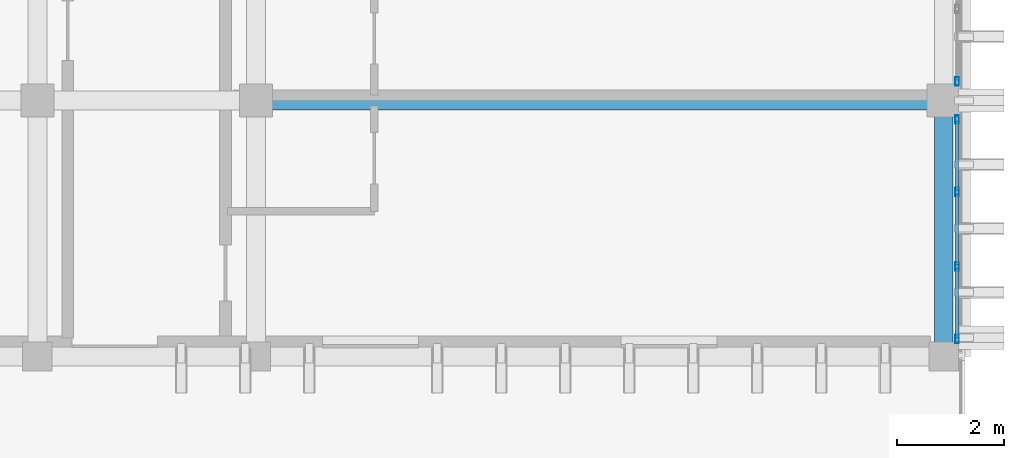
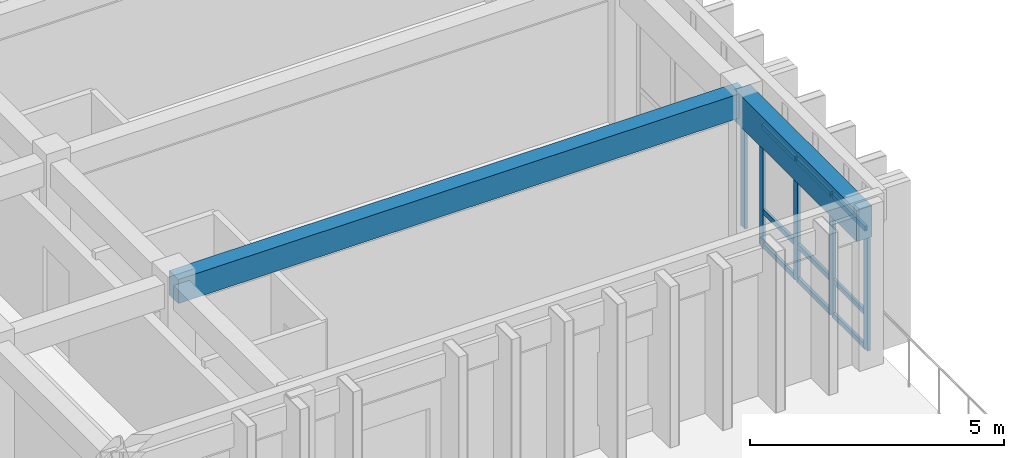
# One storey, part 6 of 50: 14 members, 2 beams, 2 elements without a shape of their own.
"""IFC4 building model written with IfcOpenShell, lengths in metres."""

import ifcopenshell
import ifcopenshell.guid

model = None  # the IFC model being written
_history = None  # IfcOwnerHistory: only IFC2X3 demands one
_inside = {}  # id of a spatial element -> (the spatial element, [elements in it])
_under = {}  # id of a project, library or spatial element -> (it, [spatial elements below it])
_declared = {}  # id of a project -> (the project, [libraries it declares])
_typed = {}  # id of a type object -> (the type object, [elements of that type])
_made_of = {}  # id of a material, layer set ... -> (it, [elements and type objects made of it])


def new_model(schema):
    """Start an empty IFC model of exactly this schema.

    Asked for "IFC4X3", IfcOpenShell would pick the latest addendum, in which some entities
    have other attributes; the version numbers below select the first issue.
    IFC2X3 requires an IfcOwnerHistory on every rooted entity: one is made here for all.
    """
    global model, _history
    if schema == "IFC4X3":
        model = ifcopenshell.file(schema_version=(4, 3, 0, 0))
    else:
        model = ifcopenshell.file(schema=schema)
    _inside.clear()
    _under.clear()
    _declared.clear()
    _typed.clear()
    _made_of.clear()
    _history = None
    if model.schema == "IFC2X3":
        org = make("IfcOrganization", Name="unknown")
        user = make(
            "IfcPersonAndOrganization",
            ThePerson=make("IfcPerson", FamilyName="unknown"),
            TheOrganization=org,
        )
        app = make(
            "IfcApplication",
            ApplicationDeveloper=org,
            Version="unknown",
            ApplicationFullName="unknown",
            ApplicationIdentifier="unknown",
        )
        _history = make(
            "IfcOwnerHistory",
            OwningUser=user,
            OwningApplication=app,
            ChangeAction="ADDED",
            CreationDate=0,
        )
    return model


def make(cls, **values):
    """One entity of the class cls with the attributes given. An attribute that is None is left unset."""
    return model.create_entity(
        cls, **{name: value for name, value in values.items() if value is not None}
    )


def rooted(cls, **values):
    """An entity with a GlobalId (a new one), such as an element, a storey or a relation."""
    return make(cls, GlobalId=ifcopenshell.guid.new(), OwnerHistory=_history, **values)


def si_unit(unit_type, name, prefix=None):
    """IfcSIUnit, for example si_unit("LENGTHUNIT", "METRE", prefix="MILLI")."""
    return make("IfcSIUnit", UnitType=unit_type, Prefix=prefix, Name=name)


def assignment(units):
    """IfcUnitAssignment: the units of a project."""
    return None if units is None else make("IfcUnitAssignment", Units=units)


def point(xyz):
    """IfcCartesianPoint."""
    return None if xyz is None else make("IfcCartesianPoint", Coordinates=xyz)


def direction(xyz):
    """IfcDirection."""
    return None if xyz is None else make("IfcDirection", DirectionRatios=xyz)


def frame(location, z_axis=None, x_axis=None):
    """IfcAxis2Placement3D, a coordinate frame: its origin and axes. An axis left out is left unset."""
    return make(
        "IfcAxis2Placement3D",
        Location=point(location),
        Axis=direction(z_axis),
        RefDirection=direction(x_axis),
    )


def frame_2d(location, x_axis=None):
    """IfcAxis2Placement2D, a coordinate frame in the plane: its origin and x axis."""
    return make(
        "IfcAxis2Placement2D", Location=point(location), RefDirection=direction(x_axis)
    )


def origin():
    """The frame at (0, 0, 0) with its axes left unset."""
    return frame((0.0, 0.0, 0.0))


def origin_2d():
    """The frame at (0, 0) in the plane with its x axis left unset."""
    return frame_2d((0.0, 0.0))


def place(relative_to, where):
    """IfcLocalPlacement: puts the frame where relative to a parent placement (None: the world)."""
    return make(
        "IfcLocalPlacement", PlacementRelTo=relative_to, RelativePlacement=where
    )


def context(
    kind, dimensions, precision=None, world=None, true_north=None, identifier=None
):
    """IfcGeometricRepresentationContext, for example the 3D "Model" context."""
    return make(
        "IfcGeometricRepresentationContext",
        ContextIdentifier=identifier,
        ContextType=kind,
        CoordinateSpaceDimension=dimensions,
        Precision=precision,
        WorldCoordinateSystem=world,
        TrueNorth=true_north,
    )


def subcontext(parent, identifier, kind, view, scale=None):
    """IfcGeometricRepresentationSubContext, for example "Body" below "Model"."""
    return make(
        "IfcGeometricRepresentationSubContext",
        ContextIdentifier=identifier,
        ContextType=kind,
        ParentContext=parent,
        TargetScale=scale,
        TargetView=view,
    )


def project(units=None, contexts=None):
    """IfcProject with its units and contexts."""
    return rooted(
        "IfcProject",
        Name="project",
        RepresentationContexts=contexts,
        UnitsInContext=assignment(units),
    )


def spatial(cls, under=None, at=None, **own):
    """A site, building, storey or space (cls), placed at a placement, below another one or the project."""
    s = rooted(cls, ObjectPlacement=at, **own)
    if under is not None:
        _under.setdefault(under.id(), (under, []))[1].append(s)
    return s


def profile(cls, at=None, kind="AREA", **sizes):
    """A parametric profile (cls). Its sizes go by their IFC names, for example OverallWidth=200.0."""
    return make(cls, ProfileType=kind, Position=at, **sizes)


def rectangle(**sizes):
    """IfcRectangleProfileDef."""
    return profile("IfcRectangleProfileDef", **sizes)


def hollow_rectangle(**sizes):
    """IfcRectangleHollowProfileDef."""
    return profile("IfcRectangleHollowProfileDef", **sizes)


def extrude(swept, where, along, depth):
    """IfcExtrudedAreaSolid: the profile swept, set in the frame where, extruded along a direction by depth."""
    return make(
        "IfcExtrudedAreaSolid",
        SweptArea=swept,
        Position=where,
        ExtrudedDirection=direction(along),
        Depth=depth,
    )


def shape(context_of_items, identifier, shape_type, items):
    """IfcShapeRepresentation: the items that make up one representation, for example the "Body"."""
    return make(
        "IfcShapeRepresentation",
        ContextOfItems=context_of_items,
        RepresentationIdentifier=identifier,
        RepresentationType=shape_type,
        Items=items,
    )


def material(Name=None, Category=None):
    """IfcMaterial."""
    return make("IfcMaterial", Name=Name, Category=Category)


def layer(
    of_material, thickness, ventilated=None, Name=None, Category=None, Priority=None
):
    """IfcMaterialLayer: one layer of a wall or slab, of a material (None: an air gap)."""
    return make(
        "IfcMaterialLayer",
        Material=of_material,
        LayerThickness=thickness,
        IsVentilated=ventilated,
        Name=Name,
        Category=Category,
        Priority=Priority,
    )


def layer_set(layers, Name=None):
    """IfcMaterialLayerSet."""
    return make("IfcMaterialLayerSet", MaterialLayers=layers, LayerSetName=Name)


def material_profile(
    of_material, cross_section, Name=None, Category=None, Priority=None
):
    """IfcMaterialProfile: a cross section and its material."""
    return make(
        "IfcMaterialProfile",
        Name=Name,
        Material=of_material,
        Profile=cross_section,
        Priority=Priority,
        Category=Category,
    )


def profile_set(profiles, Name=None, composite=None):
    """IfcMaterialProfileSet."""
    return make(
        "IfcMaterialProfileSet",
        Name=Name,
        MaterialProfiles=profiles,
        CompositeProfile=composite,
    )


def made_of(thing, what):
    """Note that an element or type object is made of a material, layer set ...; save() writes the relation."""
    if what is not None:
        _made_of.setdefault(what.id(), (what, []))[1].append(thing)
    return thing


def type_object(cls, material=None, **own):
    """A type object (cls), such as IfcWallType, which elements share."""
    return made_of(rooted(cls, **own), material)


def element(
    cls,
    number,
    at=None,
    inside=None,
    cuts=None,
    type_object=None,
    material=None,
    context=None,
    identifier="Body",
    shape_type=None,
    held_by="IfcProductDefinitionShape",
    body=None,
    shapes=None,
    **own,
):
    """One element of the class cls, such as IfcWall. Its Tag is "e" and its number.

    at: its placement. inside: the storey or other place that contains it. cuts: it is an
    opening in that element (IfcRelVoidsElement). A single representation is given by context,
    identifier, shape_type and body (its items); several are given by shapes. held_by: the class
    of the entity that holds the representations. save() writes the other relations.
    """
    e = rooted(cls, Tag="e%d" % number, ObjectPlacement=at, **own)
    if body is not None:
        shapes = [shape(context, identifier, shape_type, body)]
    if shapes is not None:
        e.Representation = make(held_by, Representations=shapes)
    if inside is not None:
        _inside.setdefault(inside.id(), (inside, []))[1].append(e)
    if cuts is not None:
        rooted(
            "IfcRelVoidsElement", RelatingBuildingElement=cuts, RelatedOpeningElement=e
        )
    if type_object is not None:
        _typed.setdefault(type_object.id(), (type_object, []))[1].append(e)
    return made_of(e, material)


def aggregate(whole, parts):
    """IfcRelAggregates: a whole, such as a stair, and the parts it consists of."""
    return rooted("IfcRelAggregates", RelatingObject=whole, RelatedObjects=parts)


def save(model, path):
    """Write the relations noted so far, then the file.

    IfcRelAggregates (storeys below a building ...), IfcRelContainedInSpatialStructure (elements
    in a storey), IfcRelDefinesByType, IfcRelAssociatesMaterial and IfcRelDeclares: one each for
    every whole, place, type object, material and project.
    """
    for whole, parts in _under.values():
        aggregate(whole, parts)
    for where, things in _inside.values():
        rooted(
            "IfcRelContainedInSpatialStructure",
            RelatedElements=things,
            RelatingStructure=where,
        )
    for kind, things in _typed.values():
        rooted("IfcRelDefinesByType", RelatedObjects=things, RelatingType=kind)
    for what, things in _made_of.values():
        rooted("IfcRelAssociatesMaterial", RelatedObjects=things, RelatingMaterial=what)
    for by, libraries in _declared.values():
        rooted("IfcRelDeclares", RelatingContext=by, RelatedDefinitions=libraries)
    model.write(path)


model = new_model("IFC4")

# Units and contexts
model_context = context("Model", 3, precision=1e-05, world=origin(), true_north=direction((0.0, 1.0)))
body_context = subcontext(model_context, "Body", "Model", "MODEL_VIEW")
ifc_project = project(units=[si_unit("LENGTHUNIT", "METRE"), si_unit("AREAUNIT", "SQUARE_METRE"), si_unit("VOLUMEUNIT", "CUBIC_METRE"), si_unit("PLANEANGLEUNIT", "RADIAN"), si_unit("MASSUNIT", "GRAM", prefix="KILO")], contexts=[model_context])

# Site, building, storey
site_placement = place(None, origin())
site = spatial("IfcSite", under=ifc_project, at=site_placement, CompositionType="ELEMENT")
building_placement = place(site_placement, origin())
building = spatial("IfcBuilding", under=site, at=building_placement, Name="Nakhvara Creek Congress Hotel", CompositionType="ELEMENT")
storey_placement = place(building_placement, frame((0.0, 0.0, 42.60009765625)))
storey = spatial("IfcBuildingStorey", under=building, at=storey_placement, Name="L10", CompositionType="ELEMENT", Elevation=42.60009765625)

# Beams
ifc_material_1 = material(Name="Concrete C40/50", Category="concrete")
ifc_material_profile_1 = material_profile(ifc_material_1, rectangle(XDim=0.360107421875, YDim=0.580078125, at=origin_2d()), Name="RC-BM 360x580", Category="LoadBearing")
ifc_profile_set_1 = profile_set([ifc_material_profile_1], Name="Concrete C40/50")
beam_type_1 = type_object("IfcBeamType", Name="BM-RC-360X580", PredefinedType="BEAM", material=ifc_profile_set_1)
beam_1_placement = place(storey_placement, frame((166.449951171875, 67.199951171875, 3.369873046875), z_axis=(1.0, 0.0, 0.0), x_axis=(0.0, 1.0, 0.0)))
element("IfcBeam", 1, at=beam_1_placement, inside=storey, type_object=beam_type_1, Name="Beam B09-L10-2668", PredefinedType="BEAM", context=body_context, shape_type="SweptSolid", body=[
    extrude(rectangle(XDim=0.360107421875, YDim=0.580078125, at=origin_2d()), origin(), (0.0, 0.0, 1.0), 12.900146484375),
])
ifc_material_profile_2 = material_profile(ifc_material_1, rectangle(XDim=0.35009765625, YDim=0.75, at=origin_2d()), Name="RC-SPANDREL 350x750", Category="LoadBearing")
ifc_profile_set_2 = profile_set([ifc_material_profile_2], Name="Concrete C40/50")
beam_type_2 = type_object("IfcBeamType", Name="BM-SPN-350X750", PredefinedType="SPANDREL", material=ifc_profile_set_2)
beam_2_placement = place(storey_placement, frame((179.35009765625, 62.39990234375, 3.284912109375), z_axis=(0.0, 1.0, 0.0), x_axis=(-1.0, 0.0, 0.0)))
element("IfcBeam", 2, at=beam_2_placement, inside=storey, type_object=beam_type_2, Name="Beam SP1-L10-2688", PredefinedType="SPANDREL", context=body_context, shape_type="SweptSolid", body=[
    extrude(rectangle(XDim=0.35009765625, YDim=0.75, at=origin_2d()), origin(), (0.0, 0.0, 1.0), 4.800048828125),
])

# Curtain wall, members
ifc_material_2 = material(Name="Bronze-anodised aluminium AW-6063-T6 and double-silver low-E glass", Category="aluminium")
ifc_layer = layer(ifc_material_2, 0.199951171875)
ifc_layer_set = layer_set([ifc_layer], Name="Bronze-anodised aluminium AW-6063-T6 and double-silver low-E glass")
curtain_wall_type = type_object("IfcCurtainWallType", Name="CW-HTL-UNIT", PredefinedType="USERDEFINED", material=ifc_layer_set)
curtain_wall_1_placement = place(storey_placement, origin())
curtain_wall_1 = element("IfcCurtainWall", 3, at=curtain_wall_1_placement, inside=storey, type_object=curtain_wall_type, Name="Curtain Wall CW314", ObjectType="UNITISED", PredefinedType="USERDEFINED")
ifc_material_3 = material(Name="Bronze-anodised aluminium AW-6063-T6", Category="aluminium")
ifc_material_profile_3 = material_profile(ifc_material_3, hollow_rectangle(XDim=0.06494140625, YDim=0.159912109375, WallThickness=0.00390625, at=origin_2d()), Name="ALU-MULL 65x160x4", Category="LoadBearing")
ifc_profile_set_3 = profile_set([ifc_material_profile_3], Name="Bronze-anodised aluminium AW-6063-T6")
member_type_1 = type_object("IfcMemberType", Name="CW-MULL-160", PredefinedType="MULLION", material=ifc_profile_set_3)
member_1_placement = place(storey_placement, frame((179.60009765625, 66.842529296875, 0.0), z_axis=(0.0, 0.0, 1.0), x_axis=(1.0, 0.0, 0.0)))
member_1 = element("IfcMember", 4, at=member_1_placement, type_object=member_type_1, Name="CW314 mullion 1", PredefinedType="MULLION", context=body_context, shape_type="SweptSolid", body=[
    extrude(hollow_rectangle(XDim=0.06494140625, YDim=0.159912109375, WallThickness=0.00390625, at=origin_2d()), origin(), (0.0, 0.0, 1.0), 2.90185546875),
])
member_2_placement = place(storey_placement, frame((179.60009765625, 65.47998046875, 0.0), z_axis=(0.0, 0.0, 1.0), x_axis=(1.0, 0.0, 0.0)))
member_2 = element("IfcMember", 5, at=member_2_placement, type_object=member_type_1, Name="CW314 mullion 2", PredefinedType="MULLION", context=body_context, shape_type="SweptSolid", body=[
    extrude(hollow_rectangle(XDim=0.06494140625, YDim=0.159912109375, WallThickness=0.00390625, at=origin_2d()), origin(), (0.0, 0.0, 1.0), 2.90185546875),
])
member_3_placement = place(storey_placement, frame((179.60009765625, 64.0849609375, 0.0), z_axis=(0.0, 0.0, 1.0), x_axis=(1.0, 0.0, 0.0)))
member_3 = element("IfcMember", 6, at=member_3_placement, type_object=member_type_1, Name="CW314 mullion 3", PredefinedType="MULLION", context=body_context, shape_type="SweptSolid", body=[
    extrude(hollow_rectangle(XDim=0.06494140625, YDim=0.159912109375, WallThickness=0.00390625, at=origin_2d()), origin(), (0.0, 0.0, 1.0), 2.90185546875),
])
member_4_placement = place(storey_placement, frame((179.60009765625, 62.722412109375, 0.0), z_axis=(0.0, 0.0, 1.0), x_axis=(1.0, 0.0, 0.0)))
member_4 = element("IfcMember", 7, at=member_4_placement, type_object=member_type_1, Name="CW314 mullion 4", PredefinedType="MULLION", context=body_context, shape_type="SweptSolid", body=[
    extrude(hollow_rectangle(XDim=0.06494140625, YDim=0.159912109375, WallThickness=0.00390625, at=origin_2d()), origin(), (0.0, 0.0, 1.0), 2.90185546875),
])

# Curtain wall, member
curtain_wall_2_placement = place(storey_placement, origin())
curtain_wall_2 = element("IfcCurtainWall", 8, at=curtain_wall_2_placement, inside=storey, type_object=curtain_wall_type, Name="Curtain Wall CW316", ObjectType="UNITISED", PredefinedType="USERDEFINED")
member_5_placement = place(storey_placement, frame((179.60009765625, 67.5576171875, 0.0), z_axis=(0.0, 0.0, 1.0), x_axis=(1.0, 0.0, 0.0)))
member_5 = element("IfcMember", 9, at=member_5_placement, type_object=member_type_1, Name="CW316 mullion 4", PredefinedType="MULLION", context=body_context, shape_type="SweptSolid", body=[
    extrude(hollow_rectangle(XDim=0.06494140625, YDim=0.159912109375, WallThickness=0.00390625, at=origin_2d()), origin(), (0.0, 0.0, 1.0), 2.90185546875),
])
aggregate(curtain_wall_2, [member_5])

# Member
ifc_material_profile_4 = material_profile(ifc_material_3, hollow_rectangle(XDim=0.06494140625, YDim=0.1201171875, WallThickness=0.00390625, at=origin_2d()), Name="ALU-TRAN 65x120x4", Category="LoadBearing")
ifc_profile_set_4 = profile_set([ifc_material_profile_4], Name="Bronze-anodised aluminium AW-6063-T6")
member_type_2 = type_object("IfcMemberType", Name="CW-TRAN-120", PredefinedType="USERDEFINED", material=ifc_profile_set_4)
member_6_placement = place(storey_placement, frame((179.60009765625, 66.81005859375, 0.032470703125), z_axis=(0.0, -1.0, 0.0), x_axis=(1.0, 0.0, 0.0)))
member_6 = element("IfcMember", 10, at=member_6_placement, type_object=member_type_2, Name="CW314 transom 1.1", ObjectType="TRANSOM", PredefinedType="USERDEFINED", context=body_context, shape_type="SweptSolid", body=[
    extrude(hollow_rectangle(XDim=0.06494140625, YDim=0.1201171875, WallThickness=0.00390625, at=origin_2d()), origin(), (0.0, 0.0, 1.0), 1.297607421875),
])

member_7_placement = place(storey_placement, frame((179.60009765625, 66.81005859375, 0.849853515625), z_axis=(0.0, -1.0, 0.0), x_axis=(1.0, 0.0, 0.0)))
member_7 = element("IfcMember", 11, at=member_7_placement, type_object=member_type_2, Name="CW314 transom 1.2", ObjectType="TRANSOM", PredefinedType="USERDEFINED", context=body_context, shape_type="SweptSolid", body=[
    extrude(hollow_rectangle(XDim=0.06494140625, YDim=0.1201171875, WallThickness=0.00390625, at=origin_2d()), origin(), (0.0, 0.0, 1.0), 1.297607421875),
])

member_8_placement = place(storey_placement, frame((179.60009765625, 66.81005859375, 2.869384765625), z_axis=(0.0, -1.0, 0.0), x_axis=(1.0, 0.0, 0.0)))
member_8 = element("IfcMember", 12, at=member_8_placement, type_object=member_type_2, Name="CW314 transom 1.3", ObjectType="TRANSOM", PredefinedType="USERDEFINED", context=body_context, shape_type="SweptSolid", body=[
    extrude(hollow_rectangle(XDim=0.06494140625, YDim=0.1201171875, WallThickness=0.00390625, at=origin_2d()), origin(), (0.0, 0.0, 1.0), 1.297607421875),
])

member_9_placement = place(storey_placement, frame((179.60009765625, 65.447509765625, 0.032470703125), z_axis=(0.0, -1.0, 0.0), x_axis=(1.0, 0.0, 0.0)))
member_9 = element("IfcMember", 13, at=member_9_placement, type_object=member_type_2, Name="CW314 transom 2.1", ObjectType="TRANSOM", PredefinedType="USERDEFINED", context=body_context, shape_type="SweptSolid", body=[
    extrude(hollow_rectangle(XDim=0.06494140625, YDim=0.1201171875, WallThickness=0.00390625, at=origin_2d()), origin(), (0.0, 0.0, 1.0), 1.330078125),
])

member_10_placement = place(storey_placement, frame((179.60009765625, 65.447509765625, 0.849853515625), z_axis=(0.0, -1.0, 0.0), x_axis=(1.0, 0.0, 0.0)))
member_10 = element("IfcMember", 14, at=member_10_placement, type_object=member_type_2, Name="CW314 transom 2.2", ObjectType="TRANSOM", PredefinedType="USERDEFINED", context=body_context, shape_type="SweptSolid", body=[
    extrude(hollow_rectangle(XDim=0.06494140625, YDim=0.1201171875, WallThickness=0.00390625, at=origin_2d()), origin(), (0.0, 0.0, 1.0), 1.330078125),
])

member_11_placement = place(storey_placement, frame((179.60009765625, 65.447509765625, 2.869384765625), z_axis=(0.0, -1.0, 0.0), x_axis=(1.0, 0.0, 0.0)))
member_11 = element("IfcMember", 15, at=member_11_placement, type_object=member_type_2, Name="CW314 transom 2.3", ObjectType="TRANSOM", PredefinedType="USERDEFINED", context=body_context, shape_type="SweptSolid", body=[
    extrude(hollow_rectangle(XDim=0.06494140625, YDim=0.1201171875, WallThickness=0.00390625, at=origin_2d()), origin(), (0.0, 0.0, 1.0), 1.330078125),
])

member_12_placement = place(storey_placement, frame((179.60009765625, 64.052490234375, 0.032470703125), z_axis=(0.0, -1.0, 0.0), x_axis=(1.0, 0.0, 0.0)))
member_12 = element("IfcMember", 16, at=member_12_placement, type_object=member_type_2, Name="CW314 transom 3.1", ObjectType="TRANSOM", PredefinedType="USERDEFINED", context=body_context, shape_type="SweptSolid", body=[
    extrude(hollow_rectangle(XDim=0.06494140625, YDim=0.1201171875, WallThickness=0.00390625, at=origin_2d()), origin(), (0.0, 0.0, 1.0), 1.297607421875),
])

member_13_placement = place(storey_placement, frame((179.60009765625, 64.052490234375, 0.849853515625), z_axis=(0.0, -1.0, 0.0), x_axis=(1.0, 0.0, 0.0)))
member_13 = element("IfcMember", 17, at=member_13_placement, type_object=member_type_2, Name="CW314 transom 3.2", ObjectType="TRANSOM", PredefinedType="USERDEFINED", context=body_context, shape_type="SweptSolid", body=[
    extrude(hollow_rectangle(XDim=0.06494140625, YDim=0.1201171875, WallThickness=0.00390625, at=origin_2d()), origin(), (0.0, 0.0, 1.0), 1.297607421875),
])

member_14_placement = place(storey_placement, frame((179.60009765625, 64.052490234375, 2.869384765625), z_axis=(0.0, -1.0, 0.0), x_axis=(1.0, 0.0, 0.0)))
member_14 = element("IfcMember", 18, at=member_14_placement, type_object=member_type_2, Name="CW314 transom 3.3", ObjectType="TRANSOM", PredefinedType="USERDEFINED", context=body_context, shape_type="SweptSolid", body=[
    extrude(hollow_rectangle(XDim=0.06494140625, YDim=0.1201171875, WallThickness=0.00390625, at=origin_2d()), origin(), (0.0, 0.0, 1.0), 1.297607421875),
])

aggregate(curtain_wall_1, [member_1, member_2, member_3, member_4, member_6, member_7, member_8, member_9, member_10, member_11, member_12, member_13, member_14])

save(model, "model.ifc")
